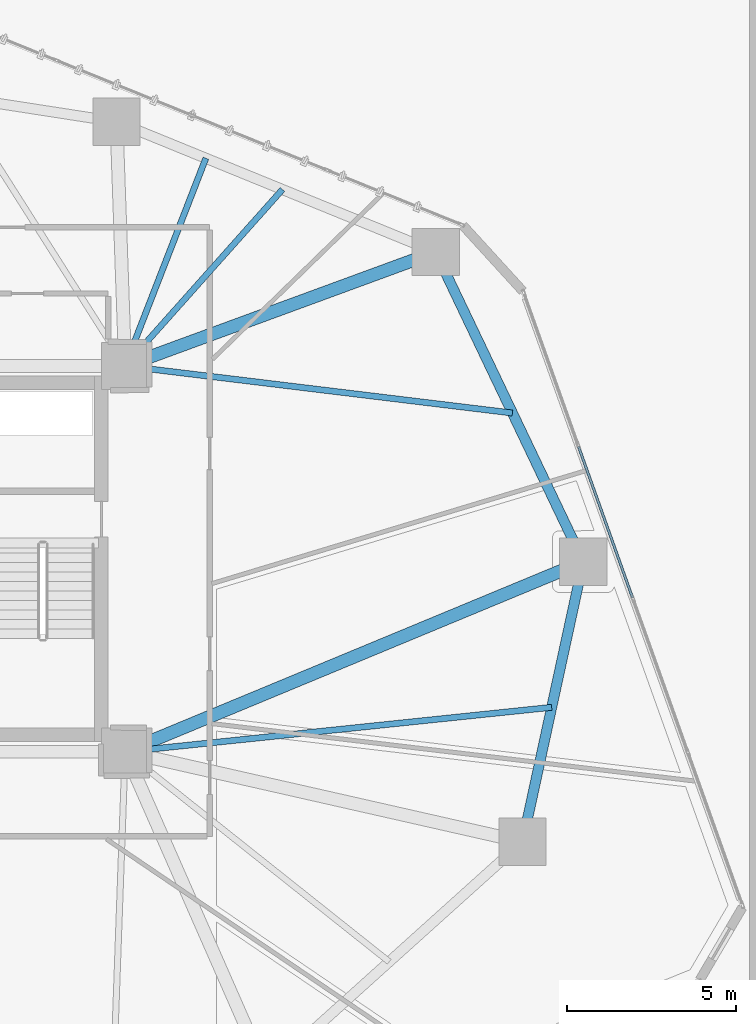
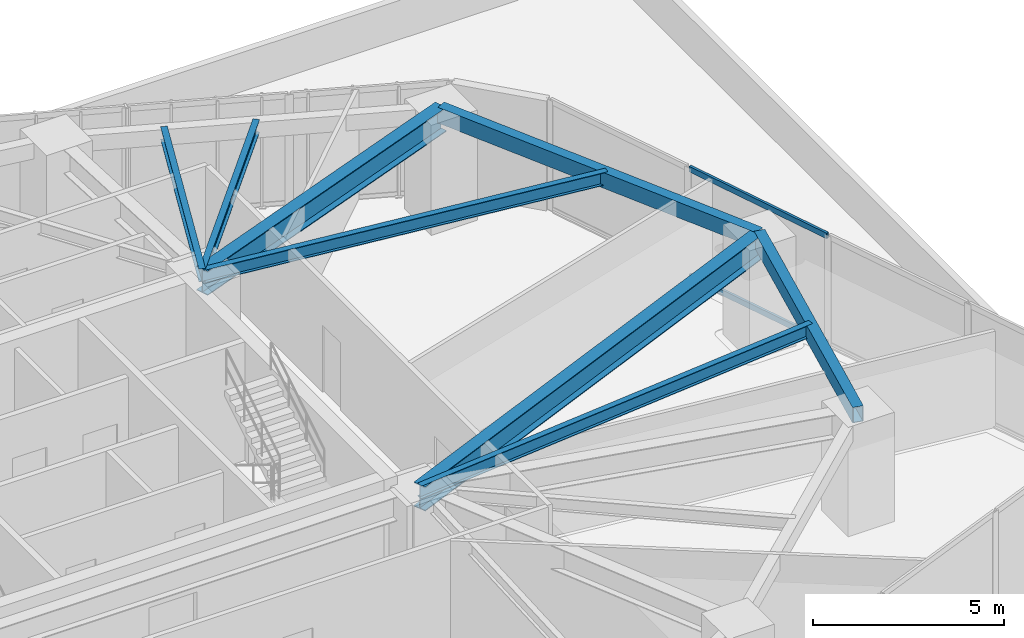
# One storey, part 12 of 23: 8 beams, 2 members, 1 element without a shape of its own.
"""IFC4 building model written with IfcOpenShell, lengths in metres."""

import ifcopenshell
import ifcopenshell.guid

model = None  # the IFC model being written
_history = None  # IfcOwnerHistory: only IFC2X3 demands one
_inside = {}  # id of a spatial element -> (the spatial element, [elements in it])
_under = {}  # id of a project, library or spatial element -> (it, [spatial elements below it])
_declared = {}  # id of a project -> (the project, [libraries it declares])
_typed = {}  # id of a type object -> (the type object, [elements of that type])
_made_of = {}  # id of a material, layer set ... -> (it, [elements and type objects made of it])


def new_model(schema):
    """Start an empty IFC model of exactly this schema.

    Asked for "IFC4X3", IfcOpenShell would pick the latest addendum, in which some entities
    have other attributes; the version numbers below select the first issue.
    IFC2X3 requires an IfcOwnerHistory on every rooted entity: one is made here for all.
    """
    global model, _history
    if schema == "IFC4X3":
        model = ifcopenshell.file(schema_version=(4, 3, 0, 0))
    else:
        model = ifcopenshell.file(schema=schema)
    _inside.clear()
    _under.clear()
    _declared.clear()
    _typed.clear()
    _made_of.clear()
    _history = None
    if model.schema == "IFC2X3":
        org = make("IfcOrganization", Name="unknown")
        user = make(
            "IfcPersonAndOrganization",
            ThePerson=make("IfcPerson", FamilyName="unknown"),
            TheOrganization=org,
        )
        app = make(
            "IfcApplication",
            ApplicationDeveloper=org,
            Version="unknown",
            ApplicationFullName="unknown",
            ApplicationIdentifier="unknown",
        )
        _history = make(
            "IfcOwnerHistory",
            OwningUser=user,
            OwningApplication=app,
            ChangeAction="ADDED",
            CreationDate=0,
        )
    return model


def make(cls, **values):
    """One entity of the class cls with the attributes given. An attribute that is None is left unset."""
    return model.create_entity(
        cls, **{name: value for name, value in values.items() if value is not None}
    )


def rooted(cls, **values):
    """An entity with a GlobalId (a new one), such as an element, a storey or a relation."""
    return make(cls, GlobalId=ifcopenshell.guid.new(), OwnerHistory=_history, **values)


def si_unit(unit_type, name, prefix=None):
    """IfcSIUnit, for example si_unit("LENGTHUNIT", "METRE", prefix="MILLI")."""
    return make("IfcSIUnit", UnitType=unit_type, Prefix=prefix, Name=name)


def assignment(units):
    """IfcUnitAssignment: the units of a project."""
    return None if units is None else make("IfcUnitAssignment", Units=units)


def point(xyz):
    """IfcCartesianPoint."""
    return None if xyz is None else make("IfcCartesianPoint", Coordinates=xyz)


def direction(xyz):
    """IfcDirection."""
    return None if xyz is None else make("IfcDirection", DirectionRatios=xyz)


def frame(location, z_axis=None, x_axis=None):
    """IfcAxis2Placement3D, a coordinate frame: its origin and axes. An axis left out is left unset."""
    return make(
        "IfcAxis2Placement3D",
        Location=point(location),
        Axis=direction(z_axis),
        RefDirection=direction(x_axis),
    )


def frame_2d(location, x_axis=None):
    """IfcAxis2Placement2D, a coordinate frame in the plane: its origin and x axis."""
    return make(
        "IfcAxis2Placement2D", Location=point(location), RefDirection=direction(x_axis)
    )


def origin():
    """The frame at (0, 0, 0) with its axes left unset."""
    return frame((0.0, 0.0, 0.0))


def origin_2d():
    """The frame at (0, 0) in the plane with its x axis left unset."""
    return frame_2d((0.0, 0.0))


def place(relative_to, where):
    """IfcLocalPlacement: puts the frame where relative to a parent placement (None: the world)."""
    return make(
        "IfcLocalPlacement", PlacementRelTo=relative_to, RelativePlacement=where
    )


def context(
    kind, dimensions, precision=None, world=None, true_north=None, identifier=None
):
    """IfcGeometricRepresentationContext, for example the 3D "Model" context."""
    return make(
        "IfcGeometricRepresentationContext",
        ContextIdentifier=identifier,
        ContextType=kind,
        CoordinateSpaceDimension=dimensions,
        Precision=precision,
        WorldCoordinateSystem=world,
        TrueNorth=true_north,
    )


def subcontext(parent, identifier, kind, view, scale=None):
    """IfcGeometricRepresentationSubContext, for example "Body" below "Model"."""
    return make(
        "IfcGeometricRepresentationSubContext",
        ContextIdentifier=identifier,
        ContextType=kind,
        ParentContext=parent,
        TargetScale=scale,
        TargetView=view,
    )


def project(units=None, contexts=None):
    """IfcProject with its units and contexts."""
    return rooted(
        "IfcProject",
        Name="project",
        RepresentationContexts=contexts,
        UnitsInContext=assignment(units),
    )


def spatial(cls, under=None, at=None, **own):
    """A site, building, storey or space (cls), placed at a placement, below another one or the project."""
    s = rooted(cls, ObjectPlacement=at, **own)
    if under is not None:
        _under.setdefault(under.id(), (under, []))[1].append(s)
    return s


def profile(cls, at=None, kind="AREA", **sizes):
    """A parametric profile (cls). Its sizes go by their IFC names, for example OverallWidth=200.0."""
    return make(cls, ProfileType=kind, Position=at, **sizes)


def hollow_rectangle(**sizes):
    """IfcRectangleHollowProfileDef."""
    return profile("IfcRectangleHollowProfileDef", **sizes)


def i_section(**sizes):
    """IfcIShapeProfileDef."""
    return profile("IfcIShapeProfileDef", **sizes)


def extrude(swept, where, along, depth):
    """IfcExtrudedAreaSolid: the profile swept, set in the frame where, extruded along a direction by depth."""
    return make(
        "IfcExtrudedAreaSolid",
        SweptArea=swept,
        Position=where,
        ExtrudedDirection=direction(along),
        Depth=depth,
    )


def shape(context_of_items, identifier, shape_type, items):
    """IfcShapeRepresentation: the items that make up one representation, for example the "Body"."""
    return make(
        "IfcShapeRepresentation",
        ContextOfItems=context_of_items,
        RepresentationIdentifier=identifier,
        RepresentationType=shape_type,
        Items=items,
    )


def source(mapping_origin, context_of_items, identifier, shape_type, items):
    """IfcRepresentationMap: a shape defined once, which mapped items show again and again."""
    return make(
        "IfcRepresentationMap",
        MappingOrigin=mapping_origin,
        MappedRepresentation=shape(context_of_items, identifier, shape_type, items),
    )


def transform(
    local_origin,
    x_axis=None,
    y_axis=None,
    z_axis=None,
    scale=None,
    scale2=None,
    scale3=None,
    uniform=True,
):
    """IfcCartesianTransformationOperator3D, or its non-uniform kind. x_axis, y_axis, z_axis: its Axis1, 2, 3."""
    if uniform:
        return make(
            "IfcCartesianTransformationOperator3D",
            Axis1=direction(x_axis),
            Axis2=direction(y_axis),
            LocalOrigin=point(local_origin),
            Scale=scale,
            Axis3=direction(z_axis),
        )
    return make(
        "IfcCartesianTransformationOperator3DnonUniform",
        Axis1=direction(x_axis),
        Axis2=direction(y_axis),
        LocalOrigin=point(local_origin),
        Scale=scale,
        Axis3=direction(z_axis),
        Scale2=scale2,
        Scale3=scale3,
    )


def mapped(mapping_source, mapping_target):
    """IfcMappedItem: shows the shape of a source again, moved by a transform."""
    return make(
        "IfcMappedItem", MappingSource=mapping_source, MappingTarget=mapping_target
    )


def material(Name=None, Category=None):
    """IfcMaterial."""
    return make("IfcMaterial", Name=Name, Category=Category)


def layer(
    of_material, thickness, ventilated=None, Name=None, Category=None, Priority=None
):
    """IfcMaterialLayer: one layer of a wall or slab, of a material (None: an air gap)."""
    return make(
        "IfcMaterialLayer",
        Material=of_material,
        LayerThickness=thickness,
        IsVentilated=ventilated,
        Name=Name,
        Category=Category,
        Priority=Priority,
    )


def layer_set(layers, Name=None):
    """IfcMaterialLayerSet."""
    return make("IfcMaterialLayerSet", MaterialLayers=layers, LayerSetName=Name)


def material_profile(
    of_material, cross_section, Name=None, Category=None, Priority=None
):
    """IfcMaterialProfile: a cross section and its material."""
    return make(
        "IfcMaterialProfile",
        Name=Name,
        Material=of_material,
        Profile=cross_section,
        Priority=Priority,
        Category=Category,
    )


def profile_set(profiles, Name=None, composite=None):
    """IfcMaterialProfileSet."""
    return make(
        "IfcMaterialProfileSet",
        Name=Name,
        MaterialProfiles=profiles,
        CompositeProfile=composite,
    )


def made_of(thing, what):
    """Note that an element or type object is made of a material, layer set ...; save() writes the relation."""
    if what is not None:
        _made_of.setdefault(what.id(), (what, []))[1].append(thing)
    return thing


def type_object(cls, material=None, **own):
    """A type object (cls), such as IfcWallType, which elements share."""
    return made_of(rooted(cls, **own), material)


def type_shapes(of_type, sources):
    """Give a type object the sources (RepresentationMaps) that its elements show as mapped items."""
    of_type.RepresentationMaps = sources


def element(
    cls,
    number,
    at=None,
    inside=None,
    cuts=None,
    type_object=None,
    material=None,
    context=None,
    identifier="Body",
    shape_type=None,
    held_by="IfcProductDefinitionShape",
    body=None,
    shapes=None,
    **own,
):
    """One element of the class cls, such as IfcWall. Its Tag is "e" and its number.

    at: its placement. inside: the storey or other place that contains it. cuts: it is an
    opening in that element (IfcRelVoidsElement). A single representation is given by context,
    identifier, shape_type and body (its items); several are given by shapes. held_by: the class
    of the entity that holds the representations. save() writes the other relations.
    """
    e = rooted(cls, Tag="e%d" % number, ObjectPlacement=at, **own)
    if body is not None:
        shapes = [shape(context, identifier, shape_type, body)]
    if shapes is not None:
        e.Representation = make(held_by, Representations=shapes)
    if inside is not None:
        _inside.setdefault(inside.id(), (inside, []))[1].append(e)
    if cuts is not None:
        rooted(
            "IfcRelVoidsElement", RelatingBuildingElement=cuts, RelatedOpeningElement=e
        )
    if type_object is not None:
        _typed.setdefault(type_object.id(), (type_object, []))[1].append(e)
    return made_of(e, material)


def aggregate(whole, parts):
    """IfcRelAggregates: a whole, such as a stair, and the parts it consists of."""
    return rooted("IfcRelAggregates", RelatingObject=whole, RelatedObjects=parts)


def save(model, path):
    """Write the relations noted so far, then the file.

    IfcRelAggregates (storeys below a building ...), IfcRelContainedInSpatialStructure (elements
    in a storey), IfcRelDefinesByType, IfcRelAssociatesMaterial and IfcRelDeclares: one each for
    every whole, place, type object, material and project.
    """
    for whole, parts in _under.values():
        aggregate(whole, parts)
    for where, things in _inside.values():
        rooted(
            "IfcRelContainedInSpatialStructure",
            RelatedElements=things,
            RelatingStructure=where,
        )
    for kind, things in _typed.values():
        rooted("IfcRelDefinesByType", RelatedObjects=things, RelatingType=kind)
    for what, things in _made_of.values():
        rooted("IfcRelAssociatesMaterial", RelatedObjects=things, RelatingMaterial=what)
    for by, libraries in _declared.values():
        rooted("IfcRelDeclares", RelatingContext=by, RelatedDefinitions=libraries)
    model.write(path)


model = new_model("IFC4")

# Units and contexts
model_context = context("Model", 3, precision=1e-05, world=origin(), true_north=direction((0.0, 1.0)))
body_context = subcontext(model_context, "Body", "Model", "MODEL_VIEW")
ifc_project = project(units=[si_unit("LENGTHUNIT", "METRE"), si_unit("AREAUNIT", "SQUARE_METRE"), si_unit("VOLUMEUNIT", "CUBIC_METRE"), si_unit("PLANEANGLEUNIT", "RADIAN"), si_unit("MASSUNIT", "GRAM", prefix="KILO")], contexts=[model_context])

# Site, building, storey
site_placement = place(None, origin())
site = spatial("IfcSite", under=ifc_project, at=site_placement, CompositionType="ELEMENT")
building_placement = place(site_placement, origin())
building = spatial("IfcBuilding", under=site, at=building_placement, Name="Talar Marvaseh", CompositionType="ELEMENT")
storey_placement = place(building_placement, frame((0.0, 0.0, 24.0)))
storey = spatial("IfcBuildingStorey", under=building, at=storey_placement, Name="L05", CompositionType="ELEMENT", Elevation=24.0)

# Beams
ifc_material_1 = material(Name="Steel S355", Category="steel")
ifc_material_profile_1 = material_profile(ifc_material_1, hollow_rectangle(XDim=0.300048828125, YDim=0.5, WallThickness=0.02001953125, at=origin_2d()), Name="RHS500x300x20")
ifc_profile_set_1 = profile_set([ifc_material_profile_1], Name="Steel S355")
beam_type_1 = type_object("IfcBeamType", Name="Zone 1 Perimeter Spandrel Beam RHS500x300x20", PredefinedType="SPANDREL", material=ifc_profile_set_1)
beam_1_placement = place(storey_placement, frame((42.47705078125, 40.26904296875, 3.27001953125), z_axis=(0.430480372911, -0.902599938255, 0.0), x_axis=(0.902599938255, 0.430480372911, 0.0)))
element("IfcBeam", 1, at=beam_1_placement, inside=storey, type_object=beam_type_1, Name="L05 Zone 1 Perimeter Spandrel Beam RHS500x300x20", PredefinedType="SPANDREL", context=body_context, shape_type="SweptSolid", body=[
    extrude(hollow_rectangle(XDim=0.300048828125, YDim=0.5, WallThickness=0.02001953125, at=origin_2d()), origin(), (0.0, 0.0, 1.0), 10.137451171875),
])
beam_2_placement = place(storey_placement, frame((46.841064453125, 31.118896484375, 3.27001953125), z_axis=(-0.212134113363, -0.977240562987, 0.0), x_axis=(0.977240562987, -0.212134113363, 0.0)))
element("IfcBeam", 2, at=beam_2_placement, inside=storey, type_object=beam_type_1, Name="L05 Zone 1 Perimeter Spandrel Beam RHS500x300x20", PredefinedType="SPANDREL", context=body_context, shape_type="SweptSolid", body=[
    extrude(hollow_rectangle(XDim=0.300048828125, YDim=0.5, WallThickness=0.02001953125, at=origin_2d()), origin(), (0.0, 0.0, 1.0), 8.4716796875),
])
ifc_material_profile_2 = material_profile(ifc_material_1, i_section(OverallWidth=0.381103515625, OverallDepth=0.77294921875, WebThickness=0.0166015625, FlangeThickness=0.027099609375, at=origin_2d()), Name="W760x257")
ifc_profile_set_2 = profile_set([ifc_material_profile_2], Name="Steel S355")
beam_type_2 = type_object("IfcBeamType", Name="Zone 1 Radial Floor Girder W760x257", PredefinedType="BEAM", material=ifc_profile_set_2)
beam_3_placement = place(storey_placement, frame((42.47705078125, 40.26904296875, 3.133544921875), z_axis=(-0.938736057616, -0.344636930887, 0.0), x_axis=(0.344636930887, -0.938736057616, 0.0)))
element("IfcBeam", 3, at=beam_3_placement, inside=storey, type_object=beam_type_2, Name="L05 Zone 1 Radial Floor Girder W760x257", PredefinedType="BEAM", context=body_context, shape_type="SweptSolid", body=[
    extrude(i_section(OverallWidth=0.381103515625, OverallDepth=0.77294921875, WebThickness=0.0166015625, FlangeThickness=0.027099609375, at=origin_2d()), origin(), (0.0, 0.0, 1.0), 9.77587890625),
])
beam_4_placement = place(storey_placement, frame((46.841064453125, 31.118896484375, 3.133544921875), z_axis=(-0.923637605375, -0.383266974753, 0.0), x_axis=(0.383266974753, -0.923637605375, 0.0)))
element("IfcBeam", 4, at=beam_4_placement, inside=storey, type_object=beam_type_2, Name="L05 Zone 1 Radial Floor Girder W760x257", PredefinedType="BEAM", context=body_context, shape_type="SweptSolid", body=[
    extrude(i_section(OverallWidth=0.381103515625, OverallDepth=0.77294921875, WebThickness=0.0166015625, FlangeThickness=0.027099609375, at=origin_2d()), origin(), (0.0, 0.0, 1.0), 14.66064453125),
])
ifc_material_profile_3 = material_profile(ifc_material_1, i_section(OverallWidth=0.179931640625, OverallDepth=0.4130859375, WebThickness=0.009765625, FlangeThickness=0.01611328125, at=origin_2d()), Name="W410x75")
ifc_profile_set_3 = profile_set([ifc_material_profile_3], Name="Steel S355")
beam_type_3 = type_object("IfcBeamType", Name="Zone 1 Secondary Floor Joist W410x75", PredefinedType="JOIST", material=ifc_profile_set_3)
beam_5_placement = place(storey_placement, frame((44.746337890625, 35.510986328125, 3.3134765625), z_axis=(-0.99271836771, 0.120458467577, 0.0), x_axis=(-0.120458467577, -0.99271836771, 0.0)))
element("IfcBeam", 5, at=beam_5_placement, inside=storey, type_object=beam_type_3, Name="L05 Zone 1 Secondary Floor Joist W410x75", PredefinedType="JOIST", context=body_context, shape_type="SweptSolid", body=[
    extrude(i_section(OverallWidth=0.179931640625, OverallDepth=0.4130859375, WebThickness=0.009765625, FlangeThickness=0.01611328125, at=origin_2d()), origin(), (0.0, 0.0, 1.0), 11.5302734375),
])
beam_6_placement = place(storey_placement, frame((45.906494140625, 26.81396484375, 3.3134765625), z_axis=(-0.994611955975, -0.103668013538, 0.0), x_axis=(0.103668013538, -0.994611955975, 0.0)))
element("IfcBeam", 6, at=beam_6_placement, inside=storey, type_object=beam_type_3, Name="L05 Zone 1 Secondary Floor Joist W410x75", PredefinedType="JOIST", context=body_context, shape_type="SweptSolid", body=[
    extrude(i_section(OverallWidth=0.179931640625, OverallDepth=0.4130859375, WebThickness=0.009765625, FlangeThickness=0.01611328125, at=origin_2d()), origin(), (0.0, 0.0, 1.0), 12.6748046875),
])
beam_7_placement = place(storey_placement, frame((35.686767578125, 43.040283203125, 3.3134765625), z_axis=(-0.362287091686, -0.932066555133, 0.0), x_axis=(0.932066555133, -0.362287091686, 0.0)))
element("IfcBeam", 7, at=beam_7_placement, inside=storey, type_object=beam_type_3, Name="L05 Zone 1 Secondary Floor Joist W410x75", PredefinedType="JOIST", context=body_context, shape_type="SweptSolid", body=[
    extrude(i_section(OverallWidth=0.179931640625, OverallDepth=0.4130859375, WebThickness=0.009765625, FlangeThickness=0.01611328125, at=origin_2d()), origin(), (0.0, 0.0, 1.0), 6.587890625),
])
beam_8_placement = place(storey_placement, frame((37.9501953125, 42.116455078125, 3.3134765625), z_axis=(-0.665419195859, -0.746469888062, 0.0), x_axis=(0.746469888062, -0.665419195859, 0.0)))
element("IfcBeam", 8, at=beam_8_placement, inside=storey, type_object=beam_type_3, Name="L05 Zone 1 Secondary Floor Joist W410x75", PredefinedType="JOIST", context=body_context, shape_type="SweptSolid", body=[
    extrude(i_section(OverallWidth=0.179931640625, OverallDepth=0.4130859375, WebThickness=0.009765625, FlangeThickness=0.01611328125, at=origin_2d()), origin(), (0.0, 0.0, 1.0), 6.98828125),
])

# Curtain wall, members
ifc_material_2 = material(Name="Architectural Aluminium", Category="aluminium")
ifc_layer = layer(ifc_material_2, 0.219970703125)
ifc_layer_set = layer_set([ifc_layer], Name="Architectural Aluminium")
curtain_wall_type = type_object("IfcCurtainWallType", Name="Unitised Low-E Museum Curtain Wall Z1", PredefinedType="NOTDEFINED", material=ifc_layer_set)
curtain_wall_placement = place(storey_placement, origin())
curtain_wall = element("IfcCurtainWall", 9, at=curtain_wall_placement, inside=storey, type_object=curtain_wall_type, Name="L05 Unitised Low-E Museum Curtain Wall Z1", PredefinedType="NOTDEFINED")
ifc_material_profile_4 = material_profile(ifc_material_2, hollow_rectangle(XDim=0.074951171875, YDim=0.179931640625, WallThickness=0.0048828125, at=origin_2d()), Name="RHS180x75x5")
ifc_profile_set_4 = profile_set([ifc_material_profile_4], Name="Architectural Aluminium")
member_type = type_object("IfcMemberType", Name="Unitised Curtain Wall Transom RHS180x75x5", PredefinedType="USERDEFINED", material=ifc_profile_set_4)
shared_shape = source(origin(), body_context, "Body", "SweptSolid", [
    extrude(hollow_rectangle(XDim=0.074951171875, YDim=0.179931640625, WallThickness=0.0048828125, at=origin_2d()), origin(), (0.0, 0.0, 1.0), 4.736572265625),
])
type_shapes(member_type, [shared_shape])
member_1_placement = place(storey_placement, frame((46.699951171875, 34.5185546875, 0.03759765625), z_axis=(0.336320071014, -0.941747742144, 0.0), x_axis=(0.941747742144, 0.336320071014, 0.0)))
member_1 = element("IfcMember", 10, at=member_1_placement, type_object=member_type, Name="CW-Z1 transom 2.1", ObjectType="TRANSOM", PredefinedType="USERDEFINED", context=body_context, shape_type="MappedRepresentation", body=[
    mapped(shared_shape, transform((0.0, 0.0, 0.0), x_axis=(1.0, 0.0, 0.0), y_axis=(0.0, 1.0, 0.0), z_axis=(0.0, 0.0, 1.0), scale=1.0)),
])
member_2_placement = place(storey_placement, frame((46.699951171875, 34.5185546875, 3.482421875), z_axis=(0.336320071014, -0.941747742144, 0.0), x_axis=(0.941747742144, 0.336320071014, 0.0)))
member_2 = element("IfcMember", 11, at=member_2_placement, type_object=member_type, Name="CW-Z1 transom 2.2", ObjectType="TRANSOM", PredefinedType="USERDEFINED", context=body_context, shape_type="MappedRepresentation", body=[
    mapped(shared_shape, transform((0.0, 0.0, 0.0), x_axis=(1.0, 0.0, 0.0), y_axis=(0.0, 1.0, 0.0), z_axis=(0.0, 0.0, 1.0), scale=1.0)),
])
aggregate(curtain_wall, [member_1, member_2])

save(model, "model.ifc")
